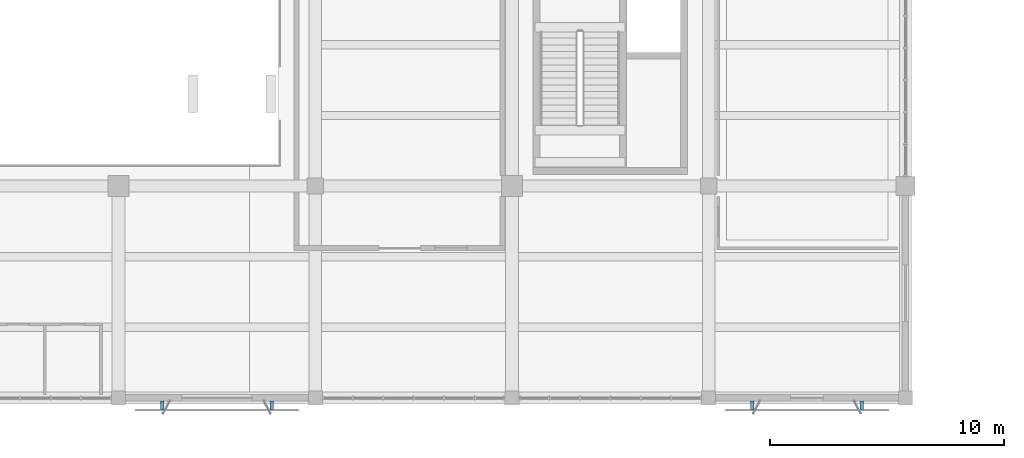
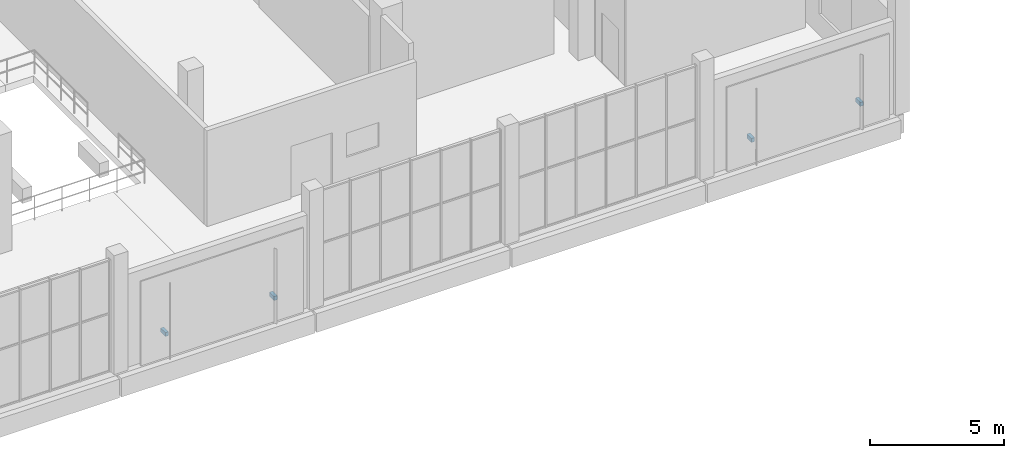
# One storey, part 121 of 132: 4 discrete accessories.
"""IFC4 building model written with IfcOpenShell, lengths in metres."""

import ifcopenshell
import ifcopenshell.guid

model = None  # the IFC model being written
_history = None  # IfcOwnerHistory: only IFC2X3 demands one
_inside = {}  # id of a spatial element -> (the spatial element, [elements in it])
_under = {}  # id of a project, library or spatial element -> (it, [spatial elements below it])
_declared = {}  # id of a project -> (the project, [libraries it declares])
_typed = {}  # id of a type object -> (the type object, [elements of that type])
_made_of = {}  # id of a material, layer set ... -> (it, [elements and type objects made of it])


def new_model(schema):
    """Start an empty IFC model of exactly this schema.

    Asked for "IFC4X3", IfcOpenShell would pick the latest addendum, in which some entities
    have other attributes; the version numbers below select the first issue.
    IFC2X3 requires an IfcOwnerHistory on every rooted entity: one is made here for all.
    """
    global model, _history
    if schema == "IFC4X3":
        model = ifcopenshell.file(schema_version=(4, 3, 0, 0))
    else:
        model = ifcopenshell.file(schema=schema)
    _inside.clear()
    _under.clear()
    _declared.clear()
    _typed.clear()
    _made_of.clear()
    _history = None
    if model.schema == "IFC2X3":
        org = make("IfcOrganization", Name="unknown")
        user = make(
            "IfcPersonAndOrganization",
            ThePerson=make("IfcPerson", FamilyName="unknown"),
            TheOrganization=org,
        )
        app = make(
            "IfcApplication",
            ApplicationDeveloper=org,
            Version="unknown",
            ApplicationFullName="unknown",
            ApplicationIdentifier="unknown",
        )
        _history = make(
            "IfcOwnerHistory",
            OwningUser=user,
            OwningApplication=app,
            ChangeAction="ADDED",
            CreationDate=0,
        )
    return model


def make(cls, **values):
    """One entity of the class cls with the attributes given. An attribute that is None is left unset."""
    return model.create_entity(
        cls, **{name: value for name, value in values.items() if value is not None}
    )


def rooted(cls, **values):
    """An entity with a GlobalId (a new one), such as an element, a storey or a relation."""
    return make(cls, GlobalId=ifcopenshell.guid.new(), OwnerHistory=_history, **values)


def si_unit(unit_type, name, prefix=None):
    """IfcSIUnit, for example si_unit("LENGTHUNIT", "METRE", prefix="MILLI")."""
    return make("IfcSIUnit", UnitType=unit_type, Prefix=prefix, Name=name)


def assignment(units):
    """IfcUnitAssignment: the units of a project."""
    return None if units is None else make("IfcUnitAssignment", Units=units)


def point(xyz):
    """IfcCartesianPoint."""
    return None if xyz is None else make("IfcCartesianPoint", Coordinates=xyz)


def direction(xyz):
    """IfcDirection."""
    return None if xyz is None else make("IfcDirection", DirectionRatios=xyz)


def frame(location, z_axis=None, x_axis=None):
    """IfcAxis2Placement3D, a coordinate frame: its origin and axes. An axis left out is left unset."""
    return make(
        "IfcAxis2Placement3D",
        Location=point(location),
        Axis=direction(z_axis),
        RefDirection=direction(x_axis),
    )


def frame_2d(location, x_axis=None):
    """IfcAxis2Placement2D, a coordinate frame in the plane: its origin and x axis."""
    return make(
        "IfcAxis2Placement2D", Location=point(location), RefDirection=direction(x_axis)
    )


def origin():
    """The frame at (0, 0, 0) with its axes left unset."""
    return frame((0.0, 0.0, 0.0))


def origin_2d():
    """The frame at (0, 0) in the plane with its x axis left unset."""
    return frame_2d((0.0, 0.0))


def place(relative_to, where):
    """IfcLocalPlacement: puts the frame where relative to a parent placement (None: the world)."""
    return make(
        "IfcLocalPlacement", PlacementRelTo=relative_to, RelativePlacement=where
    )


def context(
    kind, dimensions, precision=None, world=None, true_north=None, identifier=None
):
    """IfcGeometricRepresentationContext, for example the 3D "Model" context."""
    return make(
        "IfcGeometricRepresentationContext",
        ContextIdentifier=identifier,
        ContextType=kind,
        CoordinateSpaceDimension=dimensions,
        Precision=precision,
        WorldCoordinateSystem=world,
        TrueNorth=true_north,
    )


def subcontext(parent, identifier, kind, view, scale=None):
    """IfcGeometricRepresentationSubContext, for example "Body" below "Model"."""
    return make(
        "IfcGeometricRepresentationSubContext",
        ContextIdentifier=identifier,
        ContextType=kind,
        ParentContext=parent,
        TargetScale=scale,
        TargetView=view,
    )


def project(units=None, contexts=None):
    """IfcProject with its units and contexts."""
    return rooted(
        "IfcProject",
        Name="project",
        RepresentationContexts=contexts,
        UnitsInContext=assignment(units),
    )


def spatial(cls, under=None, at=None, **own):
    """A site, building, storey or space (cls), placed at a placement, below another one or the project."""
    s = rooted(cls, ObjectPlacement=at, **own)
    if under is not None:
        _under.setdefault(under.id(), (under, []))[1].append(s)
    return s


def profile(cls, at=None, kind="AREA", **sizes):
    """A parametric profile (cls). Its sizes go by their IFC names, for example OverallWidth=200.0."""
    return make(cls, ProfileType=kind, Position=at, **sizes)


def rectangle(**sizes):
    """IfcRectangleProfileDef."""
    return profile("IfcRectangleProfileDef", **sizes)


def extrude(swept, where, along, depth):
    """IfcExtrudedAreaSolid: the profile swept, set in the frame where, extruded along a direction by depth."""
    return make(
        "IfcExtrudedAreaSolid",
        SweptArea=swept,
        Position=where,
        ExtrudedDirection=direction(along),
        Depth=depth,
    )


def shape(context_of_items, identifier, shape_type, items):
    """IfcShapeRepresentation: the items that make up one representation, for example the "Body"."""
    return make(
        "IfcShapeRepresentation",
        ContextOfItems=context_of_items,
        RepresentationIdentifier=identifier,
        RepresentationType=shape_type,
        Items=items,
    )


def material(Name=None, Category=None):
    """IfcMaterial."""
    return make("IfcMaterial", Name=Name, Category=Category)


def made_of(thing, what):
    """Note that an element or type object is made of a material, layer set ...; save() writes the relation."""
    if what is not None:
        _made_of.setdefault(what.id(), (what, []))[1].append(thing)
    return thing


def type_object(cls, material=None, **own):
    """A type object (cls), such as IfcWallType, which elements share."""
    return made_of(rooted(cls, **own), material)


def element(
    cls,
    number,
    at=None,
    inside=None,
    cuts=None,
    type_object=None,
    material=None,
    context=None,
    identifier="Body",
    shape_type=None,
    held_by="IfcProductDefinitionShape",
    body=None,
    shapes=None,
    **own,
):
    """One element of the class cls, such as IfcWall. Its Tag is "e" and its number.

    at: its placement. inside: the storey or other place that contains it. cuts: it is an
    opening in that element (IfcRelVoidsElement). A single representation is given by context,
    identifier, shape_type and body (its items); several are given by shapes. held_by: the class
    of the entity that holds the representations. save() writes the other relations.
    """
    e = rooted(cls, Tag="e%d" % number, ObjectPlacement=at, **own)
    if body is not None:
        shapes = [shape(context, identifier, shape_type, body)]
    if shapes is not None:
        e.Representation = make(held_by, Representations=shapes)
    if inside is not None:
        _inside.setdefault(inside.id(), (inside, []))[1].append(e)
    if cuts is not None:
        rooted(
            "IfcRelVoidsElement", RelatingBuildingElement=cuts, RelatedOpeningElement=e
        )
    if type_object is not None:
        _typed.setdefault(type_object.id(), (type_object, []))[1].append(e)
    return made_of(e, material)


def aggregate(whole, parts):
    """IfcRelAggregates: a whole, such as a stair, and the parts it consists of."""
    return rooted("IfcRelAggregates", RelatingObject=whole, RelatedObjects=parts)


def save(model, path):
    """Write the relations noted so far, then the file.

    IfcRelAggregates (storeys below a building ...), IfcRelContainedInSpatialStructure (elements
    in a storey), IfcRelDefinesByType, IfcRelAssociatesMaterial and IfcRelDeclares: one each for
    every whole, place, type object, material and project.
    """
    for whole, parts in _under.values():
        aggregate(whole, parts)
    for where, things in _inside.values():
        rooted(
            "IfcRelContainedInSpatialStructure",
            RelatedElements=things,
            RelatingStructure=where,
        )
    for kind, things in _typed.values():
        rooted("IfcRelDefinesByType", RelatedObjects=things, RelatingType=kind)
    for what, things in _made_of.values():
        rooted("IfcRelAssociatesMaterial", RelatedObjects=things, RelatingMaterial=what)
    for by, libraries in _declared.values():
        rooted("IfcRelDeclares", RelatingContext=by, RelatedDefinitions=libraries)
    model.write(path)


model = new_model("IFC4")

# Units and contexts
model_context = context("Model", 3, precision=1e-05, world=origin(), true_north=direction((0.0, 1.0)))
body_context = subcontext(model_context, "Body", "Model", "MODEL_VIEW")
ifc_project = project(units=[si_unit("LENGTHUNIT", "METRE"), si_unit("AREAUNIT", "SQUARE_METRE"), si_unit("VOLUMEUNIT", "CUBIC_METRE"), si_unit("PLANEANGLEUNIT", "RADIAN"), si_unit("MASSUNIT", "GRAM", prefix="KILO")], contexts=[model_context])

# Site, building, storey
site_placement = place(None, origin())
site = spatial("IfcSite", under=ifc_project, at=site_placement, CompositionType="ELEMENT")
building_placement = place(site_placement, origin())
building = spatial("IfcBuilding", under=site, at=building_placement, Name="Khurvash Pelagic Aquarium", CompositionType="ELEMENT")
storey_placement = place(building_placement, frame((0.0, 0.0, 5.39990234375)))
storey = spatial("IfcBuildingStorey", under=building, at=storey_placement, Name="L01", CompositionType="ELEMENT", Elevation=5.39990234375)

# Discrete accessories
ifc_material = material(Name="Hot-dip galvanised steel S355J2", Category="steel")
discrete_accessory_type = type_object("IfcDiscreteAccessoryType", Name="BK-01", PredefinedType="BRACKET", material=ifc_material)
for number, where, z_axis, x_axis, name in (
    (1, (77.462890625, 2.284912109375, 1.1103515625), (0.0, 0.0, 1.0), (1.0, 0.0, 0.0), "L01 Jali Screen Support Bracket BK-01 0005"),
    (2, (82.136962890625, 2.284912109375, 1.1103515625), (0.0, 0.0, 1.0), (1.0, 0.0, 0.0), "L01 Jali Screen Support Bracket BK-01 0006"),
    (3, (102.6630859375, 2.284912109375, 1.1103515625), (0.0, 0.0, 1.0), (1.0, 0.0, 0.0), "L01 Jali Screen Support Bracket BK-01 0007"),
    (4, (107.3369140625, 2.284912109375, 1.1103515625), (0.0, 0.0, 1.0), (1.0, 0.0, 0.0), "L01 Jali Screen Support Bracket BK-01 0008"),
):
    element("IfcDiscreteAccessory", number, at=place(storey_placement, frame(where, z_axis=z_axis, x_axis=x_axis)), inside=storey, type_object=discrete_accessory_type, Name=name, PredefinedType="BRACKET", context=body_context, shape_type="SweptSolid", body=[
        extrude(rectangle(XDim=0.139892578125, YDim=0.35009765625, at=origin_2d()), origin(), (0.0, 0.0, 1.0), 0.179931640625),
    ])

save(model, "model.ifc")
